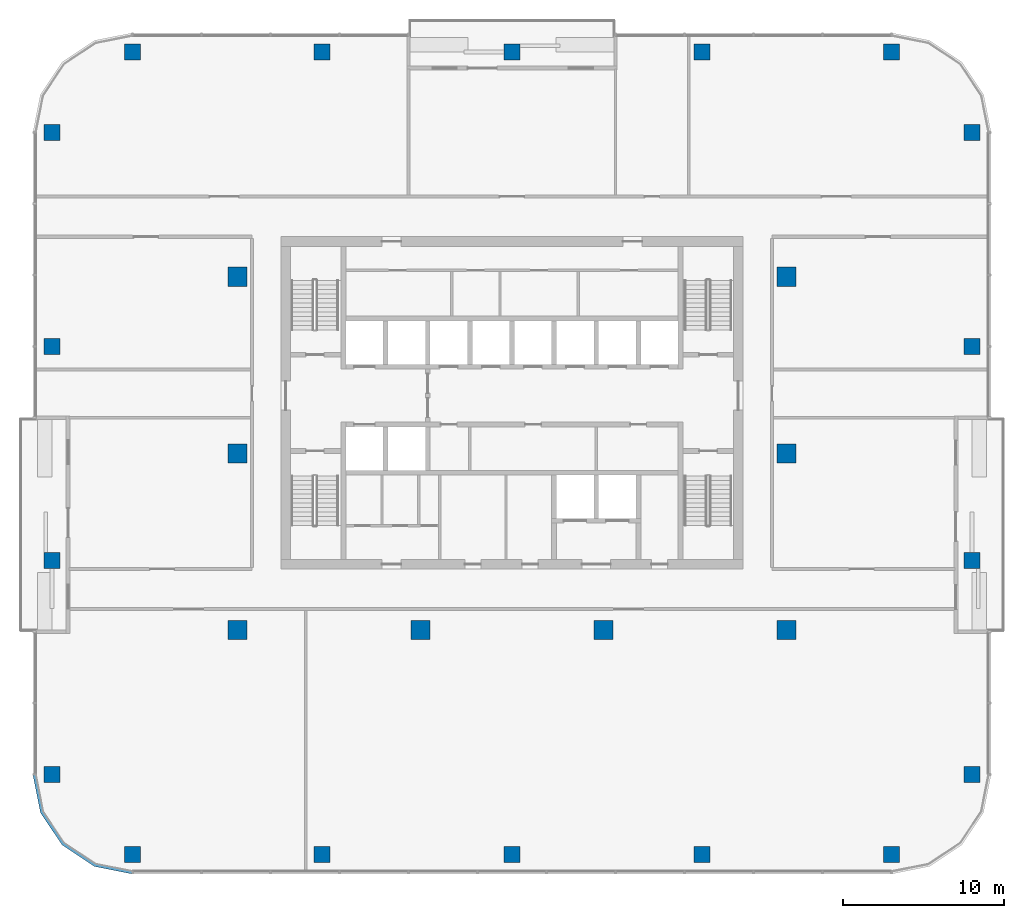
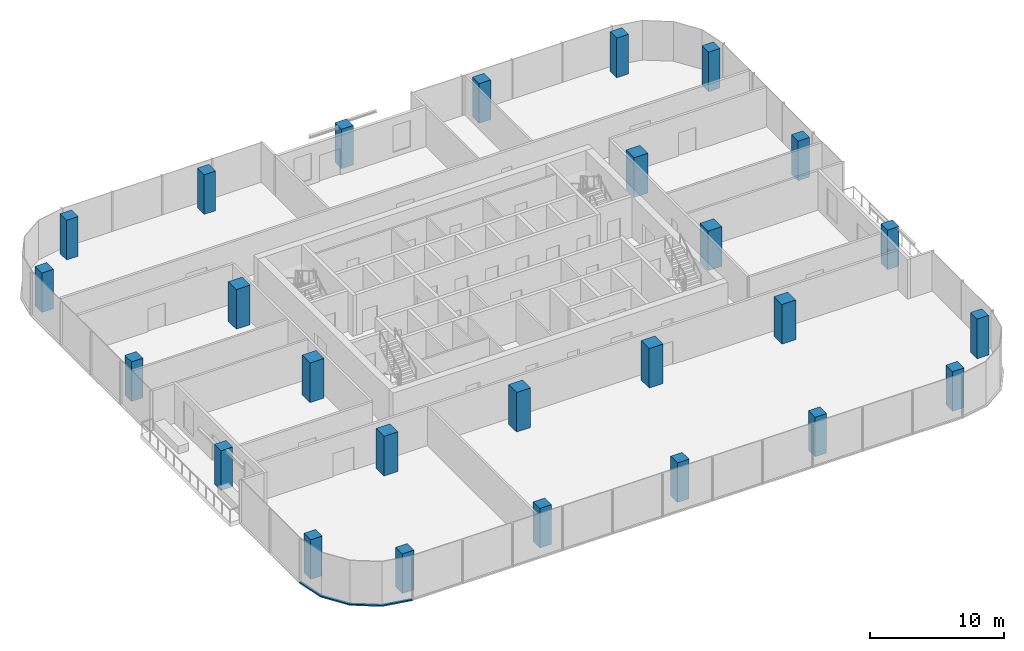
# One storey, part 1 of 13: 26 columns, 1 member, 1 element without a shape of its own.
"""IFC4 building model written with IfcOpenShell, lengths in metres."""

from ifc_helpers import new_model, si_unit, direction, frame, origin, origin_2d, place, context, subcontext, project, spatial, polyline, rectangle, outline, extrude, material, material_profile, profile_set, type_object, element, aggregate, save


model = new_model("IFC4")

# Units and contexts
model_context = context("Model", 3, precision=1e-05, world=origin(), true_north=direction((0.0, 1.0)))
body_context = subcontext(model_context, "Body", "Model", "MODEL_VIEW")
ifc_project = project(units=[si_unit("LENGTHUNIT", "METRE"), si_unit("AREAUNIT", "SQUARE_METRE"), si_unit("VOLUMEUNIT", "CUBIC_METRE"), si_unit("PLANEANGLEUNIT", "RADIAN"), si_unit("MASSUNIT", "GRAM", prefix="KILO")], contexts=[model_context])

# Site, building, storey
site_placement = place(None, origin())
site = spatial("IfcSite", under=ifc_project, at=site_placement, CompositionType="ELEMENT")
building_placement = place(site_placement, origin())
building = spatial("IfcBuilding", under=site, at=building_placement, Name="Mopane Tessera Tower", CompositionType="ELEMENT")
storey_placement = place(building_placement, frame((0.0, 0.0, 283.39990234375)))
storey = spatial("IfcBuildingStorey", under=building, at=storey_placement, Name="L61", CompositionType="ELEMENT", Elevation=283.39990234375)

# Columns
ifc_material_1 = material(Name="Concrete C40/50", Category="concrete")
ifc_material_profile_1 = material_profile(ifc_material_1, rectangle(XDim=1.199951171875, YDim=1.199951171875, at=origin_2d()))
ifc_profile_set_1 = profile_set([ifc_material_profile_1], Name="Concrete C40/50")
column_type_1 = type_object("IfcColumnType", Name="Interior column 1200 x 1200 C40/50", PredefinedType="COLUMN", material=ifc_profile_set_1)
for number, where, z_axis, x_axis, name in (
    (1, (-17.10009765625, -11.0, 0.0), (0.0, 0.0, 1.0), (1.0, 0.0, 0.0), "Interior column I1A L61"),
    (2, (-17.10009765625, 0.0, 0.0), (0.0, 0.0, 1.0), (1.0, 0.0, 0.0), "Interior column I1B L61"),
    (3, (-17.10009765625, 11.0, 0.0), (0.0, 0.0, 1.0), (1.0, 0.0, 0.0), "Interior column I1C L61"),
    (4, (-5.699951171875, -11.0, 0.0), (0.0, 0.0, 1.0), (1.0, 0.0, 0.0), "Interior column I2A L61"),
    (5, (5.699951171875, -11.0, 0.0), (0.0, 0.0, 1.0), (1.0, 0.0, 0.0), "Interior column I3A L61"),
    (6, (17.10009765625, -11.0, 0.0), (0.0, 0.0, 1.0), (1.0, 0.0, 0.0), "Interior column I4A L61"),
    (7, (17.10009765625, 0.0, 0.0), (0.0, 0.0, 1.0), (1.0, 0.0, 0.0), "Interior column I4B L61"),
    (8, (17.10009765625, 11.0, 0.0), (0.0, 0.0, 1.0), (1.0, 0.0, 0.0), "Interior column I4C L61"),
):
    element("IfcColumn", number, at=place(storey_placement, frame(where, z_axis=z_axis, x_axis=x_axis)), inside=storey, type_object=column_type_1, Name=name, PredefinedType="COLUMN", context=body_context, shape_type="SweptSolid", body=[
        extrude(rectangle(XDim=1.199951171875, YDim=1.199951171875, at=origin_2d()), origin(), (0.0, 0.0, 1.0), 3.60009765625),
    ])
ifc_material_2 = material(Name="Concrete C40/50", Category="concrete")
ifc_material_profile_2 = material_profile(ifc_material_2, rectangle(XDim=1.0, YDim=1.0, at=origin_2d()))
ifc_profile_set_2 = profile_set([ifc_material_profile_2], Name="Concrete C40/50")
column_type_2 = type_object("IfcColumnType", Name="Ring column 1000 x 1000 C40/50", PredefinedType="COLUMN", material=ifc_profile_set_2)
for number, where, z_axis, x_axis, name in (
    (9, (-23.64990234375, -25.0, 0.0), (0.0, 0.0, 1.0), (1.0, 0.0, 0.0), "Ring column S0 L61"),
    (10, (-11.824951171875, -25.0, 0.0), (0.0, 0.0, 1.0), (1.0, 0.0, 0.0), "Ring column S1 L61"),
    (11, (0.0, -25.0, 0.0), (0.0, 0.0, 1.0), (1.0, 0.0, 0.0), "Ring column S2 L61"),
    (12, (11.824951171875, -25.0, 0.0), (0.0, 0.0, 1.0), (1.0, 0.0, 0.0), "Ring column S3 L61"),
    (13, (23.64990234375, -25.0, 0.0), (0.0, 0.0, 1.0), (1.0, 0.0, 0.0), "Ring column S4 L61"),
    (14, (28.64990234375, -20.0, 0.0), (0.0, 0.0, 1.0), (1.0, 0.0, 0.0), "Ring column E0 L61"),
    (15, (28.64990234375, -6.666748046875, 0.0), (0.0, 0.0, 1.0), (1.0, 0.0, 0.0), "Ring column E1 L61"),
    (16, (28.64990234375, 6.666748046875, 0.0), (0.0, 0.0, 1.0), (1.0, 0.0, 0.0), "Ring column E2 L61"),
    (17, (28.64990234375, 20.0, 0.0), (0.0, 0.0, 1.0), (1.0, 0.0, 0.0), "Ring column E3 L61"),
    (18, (23.64990234375, 25.0, 0.0), (0.0, 0.0, 1.0), (1.0, 0.0, 0.0), "Ring column N0 L61"),
    (19, (11.824951171875, 25.0, 0.0), (0.0, 0.0, 1.0), (1.0, 0.0, 0.0), "Ring column N1 L61"),
    (20, (0.0, 25.0, 0.0), (0.0, 0.0, 1.0), (1.0, 0.0, 0.0), "Ring column N2 L61"),
    (21, (-11.824951171875, 25.0, 0.0), (0.0, 0.0, 1.0), (1.0, 0.0, 0.0), "Ring column N3 L61"),
    (22, (-23.64990234375, 25.0, 0.0), (0.0, 0.0, 1.0), (1.0, 0.0, 0.0), "Ring column N4 L61"),
    (23, (-28.64990234375, 20.0, 0.0), (0.0, 0.0, 1.0), (1.0, 0.0, 0.0), "Ring column W0 L61"),
    (24, (-28.64990234375, 6.666748046875, 0.0), (0.0, 0.0, 1.0), (1.0, 0.0, 0.0), "Ring column W1 L61"),
    (25, (-28.64990234375, -6.666748046875, 0.0), (0.0, 0.0, 1.0), (1.0, 0.0, 0.0), "Ring column W2 L61"),
    (26, (-28.64990234375, -20.0, 0.0), (0.0, 0.0, 1.0), (1.0, 0.0, 0.0), "Ring column W3 L61"),
):
    element("IfcColumn", number, at=place(storey_placement, frame(where, z_axis=z_axis, x_axis=x_axis)), inside=storey, type_object=column_type_2, Name=name, PredefinedType="COLUMN", context=body_context, shape_type="SweptSolid", body=[
        extrude(rectangle(XDim=1.0, YDim=1.0, at=origin_2d()), origin(), (0.0, 0.0, 1.0), 3.60009765625),
    ])

# Curtain wall, member
ifc_material_3 = material(Name="Aluminium frame", Category="aluminium")
curtain_wall_type = type_object("IfcCurtainWallType", Name="Unitised curtain wall", PredefinedType="NOTDEFINED", material=ifc_material_3)
curtain_wall_placement = place(storey_placement, origin())
curtain_wall = element("IfcCurtainWall", 27, at=curtain_wall_placement, inside=storey, type_object=curtain_wall_type, Name="e:cw:L61:CW", PredefinedType="NOTDEFINED")
ifc_material_4 = material(Name="Aluminium frame", Category="aluminium")
ifc_material_profile_3 = material_profile(ifc_material_4, rectangle(XDim=0.199951171875, YDim=0.1201171875, at=origin_2d()))
ifc_profile_set_3 = profile_set([ifc_material_profile_3], Name="Aluminium frame")
member_type = type_object("IfcMemberType", Name="Aluminium transom 200 x 120", PredefinedType="USERDEFINED", material=ifc_profile_set_3)
member_placement = place(storey_placement, frame((0.0, 0.0, -0.39990234375)))
member = element("IfcMember", 28, at=member_placement, type_object=member_type, Name="e:cw:L61:CW:tr", ObjectType="TRANSOM", PredefinedType="USERDEFINED", context=body_context, shape_type="SweptSolid", body=[
    extrude(outline(polyline([(-29.64990234375, -20.0), (-29.193359375, -22.296142578125), (-27.892578125, -24.24267578125), (-25.946044921875, -25.543212890625), (-23.64990234375, -26.0), (-23.64990234375, -26.199951171875), (-26.022705078125, -25.72802734375), (-28.0341796875, -24.384033203125), (-29.378173828125, -22.37255859375), (-29.85009765625, -20.0), (-29.64990234375, -20.0)])), origin(), (0.0, 0.0, 1.0), 0.1201171875),
])
aggregate(curtain_wall, [member])

save(model, "model.ifc")
